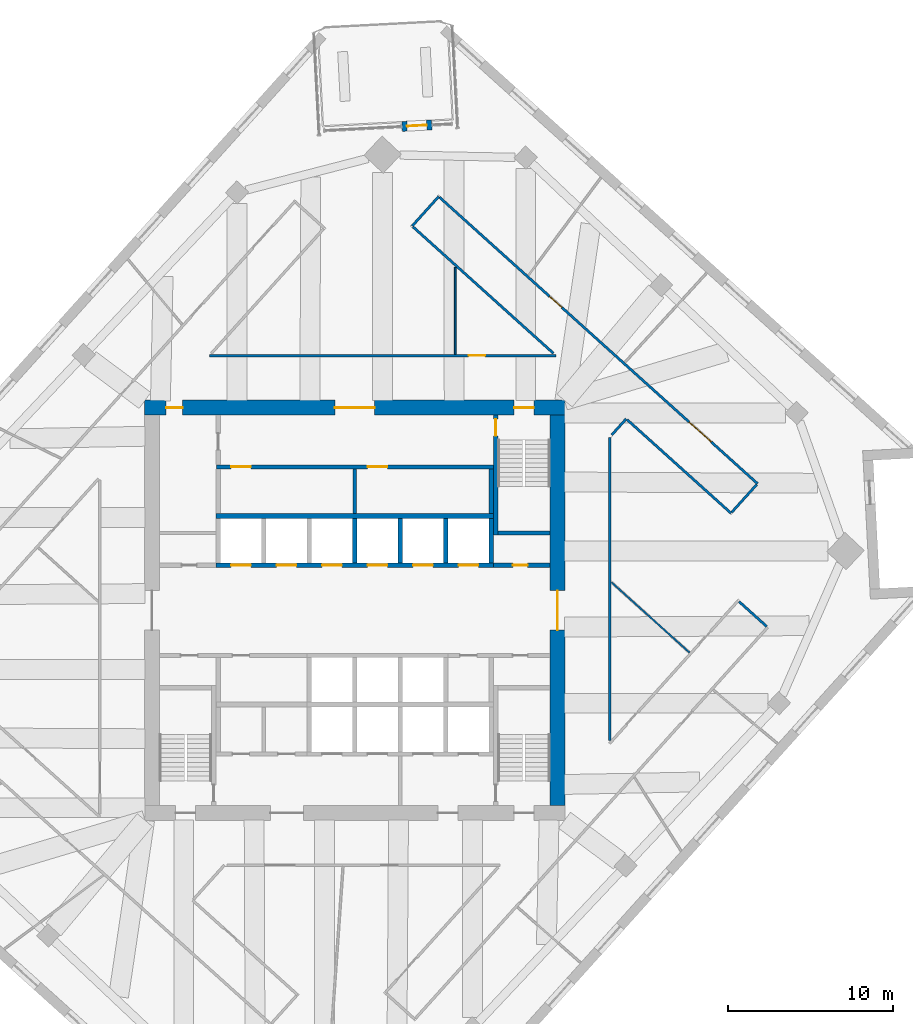
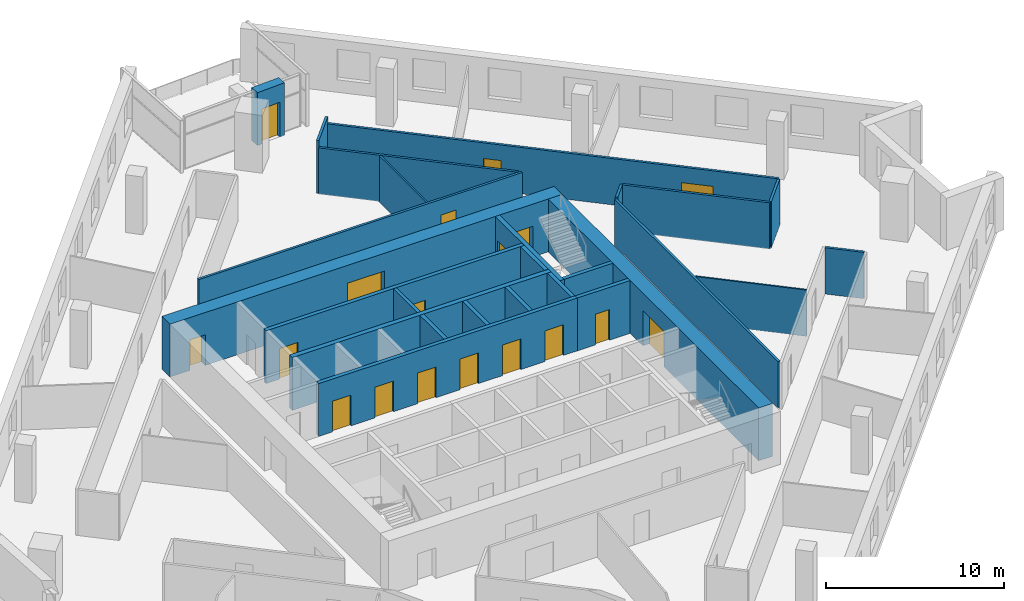
# One storey, part 9 of 12: 26 walls, 18 doors, 18 openings.
"""IFC4 building model written with IfcOpenShell, lengths in metres."""

from ifc_helpers import new_model, si_unit, direction, frame, frame_2d, origin, place, context, subcontext, project, spatial, rectangle, extrude, material, layer, layer_set, type_object, element, fill, save


model = new_model("IFC4")

# Units and contexts
model_context = context("Model", 3, precision=1e-05, world=origin(), true_north=direction((0.0, 1.0)))
body_context = subcontext(model_context, "Body", "Model", "MODEL_VIEW")
ifc_project = project(units=[si_unit("LENGTHUNIT", "METRE"), si_unit("AREAUNIT", "SQUARE_METRE"), si_unit("VOLUMEUNIT", "CUBIC_METRE"), si_unit("PLANEANGLEUNIT", "RADIAN"), si_unit("MASSUNIT", "GRAM", prefix="KILO")], contexts=[model_context])

# Site, building, storey
site_placement = place(None, origin())
site = spatial("IfcSite", under=ifc_project, at=site_placement, CompositionType="ELEMENT")
building_placement = place(site_placement, origin())
building = spatial("IfcBuilding", under=site, at=building_placement, Name="Dilmun Exchange Tower", CompositionType="ELEMENT")
storey_placement = place(building_placement, frame((0.0, 0.0, 217.300048828125)))
storey = spatial("IfcBuildingStorey", under=building, at=storey_placement, Name="L51", CompositionType="ELEMENT", Elevation=217.300048828125)

# Wall
ifc_material_1 = material(Name="Concrete C40/50", Category="concrete")
ifc_layer_1 = layer(ifc_material_1, 0.199951171875)
ifc_layer_set_1 = layer_set([ifc_layer_1], Name="Concrete C40/50")
wall_type_1 = type_object("IfcWallType", Name="Core partition wall 200", PredefinedType="PARTITIONING", material=ifc_layer_set_1)
wall_1_placement = place(storey_placement, frame((0.0, 5.85498046875, 0.0), z_axis=(0.0, 0.0, 1.0), x_axis=(0.0, 1.0, 0.0)))
element("IfcWall", 1, at=wall_1_placement, inside=storey, type_object=wall_type_1, Name="L51 core partition wall 14", PredefinedType="PARTITIONING", context=body_context, shape_type="SweptSolid", body=[
    extrude(rectangle(XDim=2.68994140625, YDim=0.199951171875, at=frame_2d((1.344970703125, 0.0))), origin(), (0.0, 0.0, 1.0), 3.619873046875),
])

# Wall, opening, door
ifc_layer_2 = layer(ifc_material_1, 0.25)
ifc_layer_set_2 = layer_set([ifc_layer_2], Name="Concrete C40/50")
wall_type_2 = type_object("IfcWallType", Name="Core partition wall 250", PredefinedType="PARTITIONING", material=ifc_layer_set_2)
wall_2_placement = place(storey_placement, frame((8.3798828125, 2.72509765625, 0.0), z_axis=(0.0, 0.0, 1.0), x_axis=(1.0, 0.0, 0.0)))
wall_2 = element("IfcWall", 2, at=wall_2_placement, inside=storey, type_object=wall_type_2, Name="L51 core partition wall 11", PredefinedType="PARTITIONING", context=body_context, shape_type="SweptSolid", body=[
    extrude(rectangle(XDim=3.4150390625, YDim=0.25, at=frame_2d((1.70751953125, 0.0))), origin(), (0.0, 0.0, 1.0), 3.619873046875),
])
opening_1_placement = place(wall_2_placement, frame((1.169921875, 0.0, 0.0)))
opening_1 = element("IfcOpeningElement", 3, at=opening_1_placement, cuts=wall_2, Name="Opening CD6", PredefinedType="OPENING", context=body_context, shape_type="SweptSolid", body=[
    extrude(rectangle(XDim=0.89990234375, YDim=2.10009765625, at=frame_2d((0.449951171875, 1.050048828125))), frame((0.0, 0.135009765625, 0.0), z_axis=(0.0, -1.0, 0.0), x_axis=(1.0, 0.0, 0.0)), (0.0, 0.0, 1.0), 0.27001953125),
])
ifc_material_2 = material(Name="Fire-rated steel door set", Category="steel")
door_type_1 = type_object("IfcDoorType", Name="Core room door 900x2100", OperationType="SINGLE_SWING_LEFT", PredefinedType="DOOR", material=ifc_material_2)
door_1_placement = place(opening_1_placement, origin())
door_1 = element("IfcDoor", 4, at=door_1_placement, inside=storey, type_object=door_type_1, Name="L51 door Electrical riser", OperationType="SINGLE_SWING_RIGHT", OverallHeight=2.10009765625, OverallWidth=0.89990234375, PredefinedType="DOOR", context=body_context, shape_type="SweptSolid", body=[
    extrude(rectangle(XDim=0.89990234375, YDim=2.10009765625, at=frame_2d((0.449951171875, 1.050048828125))), frame((0.0, 0.02490234375, 0.0), z_axis=(0.0, -1.0, 0.0), x_axis=(1.0, 0.0, 0.0)), (0.0, 0.0, 1.0), 0.050048828125),
])
fill(opening_1, door_1)

# Wall
wall_3_placement = place(storey_placement, frame((8.25, 5.85498046875, 0.0), z_axis=(0.0, 0.0, 1.0), x_axis=(0.0, 1.0, 0.0)))
element("IfcWall", 5, at=wall_3_placement, inside=storey, type_object=wall_type_2, Name="L51 core partition wall 15", PredefinedType="PARTITIONING", context=body_context, shape_type="SweptSolid", body=[
    extrude(rectangle(XDim=2.68994140625, YDim=0.25, at=frame_2d((1.344970703125, 0.0))), origin(), (0.0, 0.0, 1.0), 3.619873046875),
])

# Wall, openings, doors
wall_4_placement = place(storey_placement, frame((-8.35009765625, 8.675048828125, 0.0), z_axis=(0.0, 0.0, 1.0), x_axis=(1.0, 0.0, 0.0)))
wall_4 = element("IfcWall", 6, at=wall_4_placement, inside=storey, type_object=wall_type_2, Name="L51 core partition wall 16", PredefinedType="PARTITIONING", context=body_context, shape_type="SweptSolid", body=[
    extrude(rectangle(XDim=16.72021484375, YDim=0.25, at=frame_2d((8.360107421875, 0.0))), origin(), (0.0, 0.0, 1.0), 3.619873046875),
])
opening_2_placement = place(wall_4_placement, frame((0.875, 0.0, 0.0)))
opening_2 = element("IfcOpeningElement", 7, at=opening_2_placement, cuts=wall_4, Name="Opening CD3", PredefinedType="OPENING", context=body_context, shape_type="SweptSolid", body=[
    extrude(rectangle(XDim=1.199951171875, YDim=2.10009765625, at=frame_2d((0.60009765625, 1.050048828125))), frame((0.0, 0.135009765625, 0.0), z_axis=(0.0, -1.0, 0.0), x_axis=(1.0, 0.0, 0.0)), (0.0, 0.0, 1.0), 0.27001953125),
])
opening_3_placement = place(wall_4_placement, frame((9.125, 0.0, 0.0)))
opening_3 = element("IfcOpeningElement", 8, at=opening_3_placement, cuts=wall_4, Name="Opening CD3", PredefinedType="OPENING", context=body_context, shape_type="SweptSolid", body=[
    extrude(rectangle(XDim=1.199951171875, YDim=2.10009765625, at=frame_2d((0.60009765625, 1.050048828125))), frame((0.0, 0.135009765625, 0.0), z_axis=(0.0, -1.0, 0.0), x_axis=(1.0, 0.0, 0.0)), (0.0, 0.0, 1.0), 0.27001953125),
])
door_type_2 = type_object("IfcDoorType", Name="Stair exit door 1200x2100", OperationType="SINGLE_SWING_LEFT", PredefinedType="DOOR", material=ifc_material_2)
door_2_placement = place(opening_2_placement, origin())
door_2 = element("IfcDoor", 9, at=door_2_placement, inside=storey, type_object=door_type_2, Name="L51 door Facilities workshop", OperationType="SINGLE_SWING_LEFT", OverallHeight=2.10009765625, OverallWidth=1.199951171875, PredefinedType="DOOR", context=body_context, shape_type="SweptSolid", body=[
    extrude(rectangle(XDim=1.199951171875, YDim=2.10009765625, at=frame_2d((0.60009765625, 1.050048828125))), frame((0.0, 0.02490234375, 0.0), z_axis=(0.0, -1.0, 0.0), x_axis=(1.0, 0.0, 0.0)), (0.0, 0.0, 1.0), 0.050048828125),
])
fill(opening_2, door_2)
door_3_placement = place(opening_3_placement, origin())
door_3 = element("IfcDoor", 10, at=door_3_placement, inside=storey, type_object=door_type_2, Name="L51 door Quiet working room", OperationType="SINGLE_SWING_LEFT", OverallHeight=2.10009765625, OverallWidth=1.199951171875, PredefinedType="DOOR", context=body_context, shape_type="SweptSolid", body=[
    extrude(rectangle(XDim=1.199951171875, YDim=2.10009765625, at=frame_2d((0.60009765625, 1.050048828125))), frame((0.0, 0.02490234375, 0.0), z_axis=(0.0, -1.0, 0.0), x_axis=(1.0, 0.0, 0.0)), (0.0, 0.0, 1.0), 0.050048828125),
])
fill(opening_3, door_3)

ifc_material_3 = material(Name="Concrete C60/75", Category="concrete")
ifc_layer_3 = layer(ifc_material_3, 0.89990234375)
ifc_layer_set_3 = layer_set([ifc_layer_3], Name="Concrete C60/75")
wall_type_3 = type_object("IfcWallType", Name="Core shear wall 900 Concrete C60/75", PredefinedType="SHEAR", material=ifc_layer_set_3)
wall_5_placement = place(storey_placement, frame((-12.699951171875, 12.25, 0.0), z_axis=(0.0, 0.0, 1.0), x_axis=(1.0, 0.0, 0.0)))
wall_5 = element("IfcWall", 11, at=wall_5_placement, inside=storey, type_object=wall_type_3, Name="L51 core shear wall N", PredefinedType="SHEAR", context=body_context, shape_type="SweptSolid", body=[
    extrude(rectangle(XDim=25.39990234375, YDim=0.89990234375, at=frame_2d((12.699951171875, 0.0))), origin(), (0.0, 0.0, 1.0), 3.619873046875),
])
opening_4_placement = place(wall_5_placement, frame((11.5, 0.0, 0.0)))
opening_4 = element("IfcOpeningElement", 12, at=opening_4_placement, cuts=wall_5, Name="Opening CD1", PredefinedType="OPENING", context=body_context, shape_type="SweptSolid", body=[
    extrude(rectangle(XDim=2.39990234375, YDim=2.39990234375, at=frame_2d((1.199951171875, 1.199951171875))), frame((0.0, 0.4599609375, 0.0), z_axis=(0.0, -1.0, 0.0), x_axis=(1.0, 0.0, 0.0)), (0.0, 0.0, 1.0), 0.919921875),
])
opening_5_placement = place(wall_5_placement, frame((22.324951171875, 0.0, 0.0)))
opening_5 = element("IfcOpeningElement", 13, at=opening_5_placement, cuts=wall_5, Name="Opening CD3", PredefinedType="OPENING", context=body_context, shape_type="SweptSolid", body=[
    extrude(rectangle(XDim=1.199951171875, YDim=2.10009765625, at=frame_2d((0.60009765625, 1.050048828125))), frame((0.0, 0.4599609375, 0.0), z_axis=(0.0, -1.0, 0.0), x_axis=(1.0, 0.0, 0.0)), (0.0, 0.0, 1.0), 0.919921875),
])
opening_6_placement = place(wall_5_placement, frame((1.300048828125, 0.0, 0.0)))
opening_6 = element("IfcOpeningElement", 14, at=opening_6_placement, cuts=wall_5, Name="Opening CD4", PredefinedType="OPENING", context=body_context, shape_type="SweptSolid", body=[
    extrude(rectangle(XDim=1.0, YDim=2.10009765625, at=frame_2d((0.5, 1.050048828125))), frame((0.0, 0.4599609375, 0.0), z_axis=(0.0, -1.0, 0.0), x_axis=(1.0, 0.0, 0.0)), (0.0, 0.0, 1.0), 0.919921875),
])
door_type_3 = type_object("IfcDoorType", Name="Core lobby door 2400x2400", OperationType="DOUBLE_DOOR_DOUBLE_SWING", PredefinedType="DOOR", material=ifc_material_2)
door_4_placement = place(opening_4_placement, origin())
door_4 = element("IfcDoor", 15, at=door_4_placement, inside=storey, type_object=door_type_3, Name="L51 door North lift lobby", OperationType="SINGLE_SWING_LEFT", OverallHeight=2.39990234375, OverallWidth=2.39990234375, PredefinedType="DOOR", context=body_context, shape_type="SweptSolid", body=[
    extrude(rectangle(XDim=2.39990234375, YDim=2.39990234375, at=frame_2d((1.199951171875, 1.199951171875))), frame((0.0, 0.02490234375, 0.0), z_axis=(0.0, -1.0, 0.0), x_axis=(1.0, 0.0, 0.0)), (0.0, 0.0, 1.0), 0.050048828125),
])
fill(opening_4, door_4)
door_type_4 = type_object("IfcDoorType", Name="Core room door 1000x2100", OperationType="SINGLE_SWING_LEFT", PredefinedType="DOOR", material=ifc_material_2)
door_5_placement = place(opening_6_placement, origin())
door_5 = element("IfcDoor", 16, at=door_5_placement, inside=storey, type_object=door_type_4, Name="L51 door North-west core rooms", OperationType="SINGLE_SWING_LEFT", OverallHeight=2.10009765625, OverallWidth=1.0, PredefinedType="DOOR", context=body_context, shape_type="SweptSolid", body=[
    extrude(rectangle(XDim=1.0, YDim=2.10009765625, at=frame_2d((0.5, 1.050048828125))), frame((0.0, 0.02490234375, 0.0), z_axis=(0.0, -1.0, 0.0), x_axis=(1.0, 0.0, 0.0)), (0.0, 0.0, 1.0), 0.050048828125),
])
fill(opening_6, door_5)
door_6_placement = place(opening_5_placement, origin())
door_6 = element("IfcDoor", 17, at=door_6_placement, inside=storey, type_object=door_type_2, Name="L51 door Stair ST1", OperationType="SINGLE_SWING_LEFT", OverallHeight=2.10009765625, OverallWidth=1.199951171875, PredefinedType="DOOR", context=body_context, shape_type="SweptSolid", body=[
    extrude(rectangle(XDim=1.199951171875, YDim=2.10009765625, at=frame_2d((0.60009765625, 1.050048828125))), frame((0.0, 0.02490234375, 0.0), z_axis=(0.0, -1.0, 0.0), x_axis=(1.0, 0.0, 0.0)), (0.0, 0.0, 1.0), 0.050048828125),
])
fill(opening_5, door_6)

# Wall, opening, door
wall_6_placement = place(storey_placement, frame((12.25, -11.800048828125, 0.0), z_axis=(0.0, 0.0, 1.0), x_axis=(0.0, 1.0, 0.0)))
wall_6 = element("IfcWall", 18, at=wall_6_placement, inside=storey, type_object=wall_type_3, Name="L51 core shear wall E", PredefinedType="SHEAR", context=body_context, shape_type="SweptSolid", body=[
    extrude(rectangle(XDim=23.60009765625, YDim=0.89990234375, at=frame_2d((11.800048828125, 0.0))), origin(), (0.0, 0.0, 1.0), 3.619873046875),
])
opening_7_placement = place(wall_6_placement, frame((10.60009765625, 0.0, 0.0)))
opening_7 = element("IfcOpeningElement", 19, at=opening_7_placement, cuts=wall_6, Name="Opening CD1", PredefinedType="OPENING", context=body_context, shape_type="SweptSolid", body=[
    extrude(rectangle(XDim=2.39990234375, YDim=2.39990234375, at=frame_2d((1.199951171875, 1.199951171875))), frame((0.0, 0.4599609375, 0.0), z_axis=(0.0, -1.0, 0.0), x_axis=(1.0, 0.0, 0.0)), (0.0, 0.0, 1.0), 0.919921875),
])
door_7_placement = place(opening_7_placement, origin())
door_7 = element("IfcDoor", 20, at=door_7_placement, inside=storey, type_object=door_type_3, Name="L51 door Central lift lobby", OperationType="SINGLE_SWING_LEFT", OverallHeight=2.39990234375, OverallWidth=2.39990234375, PredefinedType="DOOR", context=body_context, shape_type="SweptSolid", body=[
    extrude(rectangle(XDim=2.39990234375, YDim=2.39990234375, at=frame_2d((1.199951171875, 1.199951171875))), frame((0.0, 0.02490234375, 0.0), z_axis=(0.0, -1.0, 0.0), x_axis=(1.0, 0.0, 0.0)), (0.0, 0.0, 1.0), 0.050048828125),
])
fill(opening_7, door_7)

ifc_material_4 = material(Name="Corridor wall 150")
ifc_layer_4 = layer(ifc_material_4, 0.14990234375)
ifc_layer_set_4 = layer_set([ifc_layer_4], Name="Corridor wall 150")
wall_type_4 = type_object("IfcWallType", Name="Corridor wall 150", PredefinedType="PARTITIONING", material=ifc_layer_set_4)
wall_7_placement = place(storey_placement, frame((-8.778076171875, 15.39990234375, 0.0), z_axis=(0.0, 0.0, 1.0), x_axis=(1.0, 0.0, 0.0)))
wall_7 = element("IfcWall", 21, at=wall_7_placement, inside=storey, type_object=wall_type_4, Name="Corridor wall", PredefinedType="PARTITIONING", context=body_context, shape_type="SweptSolid", body=[
    extrude(rectangle(XDim=20.93408203125, YDim=0.14990234375, at=frame_2d((10.467041015625, 0.0))), origin(), (0.0, 0.0, 1.0), 3.169921875),
])
opening_8_placement = place(wall_7_placement, frame((15.65380859375, 0.0, 0.0)))
opening_8 = element("IfcOpeningElement", 22, at=opening_8_placement, cuts=wall_7, Name="Opening TF51-D12", PredefinedType="OPENING", context=body_context, shape_type="SweptSolid", body=[
    extrude(rectangle(XDim=1.0, YDim=2.10009765625, at=frame_2d((0.5, 1.050048828125))), frame((0.0, 0.0849609375, 0.0), z_axis=(0.0, -1.0, 0.0), x_axis=(1.0, 0.0, 0.0)), (0.0, 0.0, 1.0), 0.169921875),
])
ifc_material_5 = material(Name="Fire door 1000 x 2100")
door_type_5 = type_object("IfcDoorType", Name="Fire door 1000 x 2100", OperationType="NOTDEFINED", PredefinedType="DOOR", material=ifc_material_5)
door_8_placement = place(opening_8_placement, origin())
door_8 = element("IfcDoor", 23, at=door_8_placement, inside=storey, type_object=door_type_5, Name="Door TF51-D12", OperationType="SINGLE_SWING_LEFT", OverallHeight=2.10009765625, OverallWidth=1.0, PredefinedType="DOOR", context=body_context, shape_type="SweptSolid", body=[
    extrude(rectangle(XDim=1.0, YDim=2.10009765625, at=frame_2d((0.5, 1.050048828125))), frame((0.0, 0.02490234375, 0.0), z_axis=(0.0, -1.0, 0.0), x_axis=(1.0, 0.0, 0.0)), (0.0, 0.0, 1.0), 0.050048828125),
])
fill(opening_8, door_8)

# Walls
wall_8_placement = place(storey_placement, frame((3.466064453125, 23.22412109375, 0.0), z_axis=(0.0, 0.0, 1.0), x_axis=(0.669060256522, 0.743208162726, 0.0)))
element("IfcWall", 24, at=wall_8_placement, inside=storey, type_object=wall_type_4, Name="Corridor wall", PredefinedType="PARTITIONING", context=body_context, shape_type="SweptSolid", body=[
    extrude(rectangle(XDim=2.400390625, YDim=0.14990234375, at=frame_2d((1.2001953125, 0.0))), origin(), (0.0, 0.0, 1.0), 3.619873046875),
])
wall_9_placement = place(storey_placement, frame((3.521728515625, 23.173828125, 0.0), z_axis=(0.0, 0.0, 1.0), x_axis=(0.743165539408, -0.669107600492, 0.0)))
element("IfcWall", 25, at=wall_9_placement, inside=storey, type_object=wall_type_4, Name="Corridor wall", PredefinedType="PARTITIONING", context=body_context, shape_type="SweptSolid", body=[
    extrude(rectangle(XDim=11.4228515625, YDim=0.14990234375, at=frame_2d((5.71142578125, 0.0))), origin(), (0.0, 0.0, 1.0), 3.169921875),
])

# Wall, openings, doors
wall_10_placement = place(storey_placement, frame((5.127685546875, 24.957763671875, 0.0), z_axis=(0.0, 0.0, 1.0), x_axis=(0.743144813636, -0.66913061951, 0.0)))
wall_10 = element("IfcWall", 26, at=wall_10_placement, inside=storey, type_object=wall_type_4, Name="Corridor wall", PredefinedType="PARTITIONING", context=body_context, shape_type="SweptSolid", body=[
    extrude(rectangle(XDim=25.854248046875, YDim=0.14990234375, at=frame_2d((12.92724609375, 0.0))), origin(), (0.0, 0.0, 1.0), 3.169921875),
])
opening_9_placement = place(wall_10_placement, frame((8.94580078125, 0.0, 0.0)))
opening_9 = element("IfcOpeningElement", 27, at=opening_9_placement, cuts=wall_10, Name="Opening TF51-D14", PredefinedType="OPENING", context=body_context, shape_type="SweptSolid", body=[
    extrude(rectangle(XDim=1.0, YDim=2.10009765625, at=frame_2d((0.5, 1.050048828125))), frame((0.0, 0.0849609375, 0.0), z_axis=(0.0, -1.0, 0.0), x_axis=(1.0, 0.0, 0.0)), (0.0, 0.0, 1.0), 0.169921875),
])
opening_10_placement = place(wall_10_placement, frame((20.290283203125, 0.0, 0.0)))
opening_10 = element("IfcOpeningElement", 28, at=opening_10_placement, cuts=wall_10, Name="Opening TF51-D17", PredefinedType="OPENING", context=body_context, shape_type="SweptSolid", body=[
    extrude(rectangle(XDim=1.800048828125, YDim=2.10009765625, at=frame_2d((0.89990234375, 1.050048828125))), frame((0.0, 0.0849609375, 0.0), z_axis=(0.0, -1.0, 0.0), x_axis=(1.0, 0.0, 0.0)), (0.0, 0.0, 1.0), 0.169921875),
])
door_9_placement = place(opening_9_placement, origin())
door_9 = element("IfcDoor", 29, at=door_9_placement, inside=storey, type_object=door_type_5, Name="Door TF51-D14", OperationType="SINGLE_SWING_RIGHT", OverallHeight=2.10009765625, OverallWidth=1.0, PredefinedType="DOOR", context=body_context, shape_type="SweptSolid", body=[
    extrude(rectangle(XDim=1.0, YDim=2.10009765625, at=frame_2d((0.5, 1.050048828125))), frame((0.0, 0.02490234375, 0.0), z_axis=(0.0, -1.0, 0.0), x_axis=(1.0, 0.0, 0.0)), (0.0, 0.0, 1.0), 0.050048828125),
])
fill(opening_9, door_9)
ifc_material_6 = material(Name="Fire door pair 1800 x 2100")
door_type_6 = type_object("IfcDoorType", Name="Fire door pair 1800 x 2100", OperationType="NOTDEFINED", PredefinedType="DOOR", material=ifc_material_6)
door_10_placement = place(opening_10_placement, origin())
door_10 = element("IfcDoor", 30, at=door_10_placement, inside=storey, type_object=door_type_6, Name="Door TF51-D17", OperationType="DOUBLE_DOOR_SINGLE_SWING", OverallHeight=2.10009765625, OverallWidth=1.800048828125, PredefinedType="DOOR", context=body_context, shape_type="SweptSolid", body=[
    extrude(rectangle(XDim=1.800048828125, YDim=2.10009765625, at=frame_2d((0.89990234375, 1.050048828125))), frame((0.0, 0.02490234375, 0.0), z_axis=(0.0, -1.0, 0.0), x_axis=(1.0, 0.0, 0.0)), (0.0, 0.0, 1.0), 0.050048828125),
])
fill(opening_10, door_10)

# Walls
wall_11_placement = place(storey_placement, frame((15.39990234375, -7.8505859375, 0.0), z_axis=(0.0, 0.0, 1.0), x_axis=(0.0, 1.0, 0.0)))
element("IfcWall", 31, at=wall_11_placement, inside=storey, type_object=wall_type_4, Name="Corridor wall", PredefinedType="PARTITIONING", context=body_context, shape_type="SweptSolid", body=[
    extrude(rectangle(XDim=18.30859375, YDim=0.14990234375, at=frame_2d((9.154296875, 0.0))), origin(), (0.0, 0.0, 1.0), 3.169921875),
])
wall_12_placement = place(storey_placement, frame((15.53076171875, 10.603271484375, 0.0), z_axis=(0.0, 0.0, 1.0), x_axis=(0.669233140763, 0.743052490275, 0.0)))
element("IfcWall", 32, at=wall_12_placement, inside=storey, type_object=wall_type_4, Name="Corridor wall", PredefinedType="PARTITIONING", context=body_context, shape_type="SweptSolid", body=[
    extrude(rectangle(XDim=1.306396484375, YDim=0.14990234375, at=frame_2d((0.6533203125, 0.0))), origin(), (0.0, 0.0, 1.0), 3.169921875),
])
wall_13_placement = place(storey_placement, frame((16.460693359375, 11.523681640625, 0.0), z_axis=(0.0, 0.0, 1.0), x_axis=(0.743193483902, -0.669076561752, 0.0)))
element("IfcWall", 33, at=wall_13_placement, inside=storey, type_object=wall_type_4, Name="Corridor wall", PredefinedType="PARTITIONING", context=body_context, shape_type="SweptSolid", body=[
    extrude(rectangle(XDim=8.4423828125, YDim=0.14990234375, at=frame_2d((4.22119140625, 0.0))), origin(), (0.0, 0.0, 1.0), 3.169921875),
])
for number, where, z_axis, x_axis, name in (
    (34, (22.78515625, 5.9306640625, 0.0), (0.0, 0.0, 1.0), (0.669246477345, 0.743040478414, 0.0), "Corridor wall"),
    (35, (23.224609375, 0.53173828125, 0.0), (0.0, 0.0, 1.0), (0.743040478414, -0.669246477345, 0.0), "Corridor wall"),
):
    element("IfcWall", number, at=place(storey_placement, frame(where, z_axis=z_axis, x_axis=x_axis)), inside=storey, type_object=wall_type_4, Name=name, PredefinedType="PARTITIONING", context=body_context, shape_type="SweptSolid", body=[
        extrude(rectangle(XDim=2.249755859375, YDim=0.14990234375, at=frame_2d((1.125, 0.0))), origin(), (0.0, 0.0, 1.0), 3.169921875),
    ])
ifc_layer_5 = layer(ifc_material_1, 0.300048828125)
ifc_layer_set_5 = layer_set([ifc_layer_5], Name="Concrete C40/50")
wall_type_5 = type_object("IfcWallType", Name="Lift shaft shared wall 300", PredefinedType="SOLIDWALL", material=ifc_layer_set_5)
wall_14_placement = place(storey_placement, frame((-8.375, 5.699951171875, 0.0), z_axis=(0.0, 0.0, 1.0), x_axis=(1.0, 0.0, 0.0)))
element("IfcWall", 36, at=wall_14_placement, inside=storey, type_object=wall_type_5, Name="L51 lift shaft rear wall N", PredefinedType="SOLIDWALL", context=body_context, shape_type="SweptSolid", body=[
    extrude(rectangle(XDim=16.75, YDim=0.300048828125, at=frame_2d((8.375, 0.0))), origin(), (0.0, 0.0, 1.0), 3.619873046875),
])

# Wall, openings, doors
ifc_layer_6 = layer(ifc_material_1, 0.25)
ifc_layer_set_6 = layer_set([ifc_layer_6], Name="Concrete C40/50")
wall_type_6 = type_object("IfcWallType", Name="Lift shaft wall 250", PredefinedType="SOLIDWALL", material=ifc_layer_set_6)
wall_15_placement = place(storey_placement, frame((-8.375, 2.72509765625, 0.0), z_axis=(0.0, 0.0, 1.0), x_axis=(1.0, 0.0, 0.0)))
wall_15 = element("IfcWall", 37, at=wall_15_placement, inside=storey, type_object=wall_type_6, Name="L51 lift shaft front wall N1", PredefinedType="SOLIDWALL", context=body_context, shape_type="SweptSolid", body=[
    extrude(rectangle(XDim=16.75, YDim=0.25, at=frame_2d((8.375, 0.0))), origin(), (0.0, 0.0, 1.0), 3.619873046875),
])
opening_11_placement = place(wall_15_placement, frame((0.89990234375, 0.0, 0.0)))
opening_11 = element("IfcOpeningElement", 38, at=opening_11_placement, cuts=wall_15, Name="Opening LD", PredefinedType="OPENING", context=body_context, shape_type="SweptSolid", body=[
    extrude(rectangle(XDim=1.199951171875, YDim=2.10009765625, at=frame_2d((0.60009765625, 1.050048828125))), frame((0.0, 0.135009765625, 0.0), z_axis=(0.0, -1.0, 0.0), x_axis=(1.0, 0.0, 0.0)), (0.0, 0.0, 1.0), 0.27001953125),
])
opening_12_placement = place(wall_15_placement, frame((3.64990234375, 0.0, 0.0)))
opening_12 = element("IfcOpeningElement", 39, at=opening_12_placement, cuts=wall_15, Name="Opening LD", PredefinedType="OPENING", context=body_context, shape_type="SweptSolid", body=[
    extrude(rectangle(XDim=1.199951171875, YDim=2.10009765625, at=frame_2d((0.60009765625, 1.050048828125))), frame((0.0, 0.135009765625, 0.0), z_axis=(0.0, -1.0, 0.0), x_axis=(1.0, 0.0, 0.0)), (0.0, 0.0, 1.0), 0.27001953125),
])
opening_13_placement = place(wall_15_placement, frame((6.39990234375, 0.0, 0.0)))
opening_13 = element("IfcOpeningElement", 40, at=opening_13_placement, cuts=wall_15, Name="Opening LD", PredefinedType="OPENING", context=body_context, shape_type="SweptSolid", body=[
    extrude(rectangle(XDim=1.199951171875, YDim=2.10009765625, at=frame_2d((0.60009765625, 1.050048828125))), frame((0.0, 0.135009765625, 0.0), z_axis=(0.0, -1.0, 0.0), x_axis=(1.0, 0.0, 0.0)), (0.0, 0.0, 1.0), 0.27001953125),
])
opening_14_placement = place(wall_15_placement, frame((9.14990234375, 0.0, 0.0)))
opening_14 = element("IfcOpeningElement", 41, at=opening_14_placement, cuts=wall_15, Name="Opening LD", PredefinedType="OPENING", context=body_context, shape_type="SweptSolid", body=[
    extrude(rectangle(XDim=1.199951171875, YDim=2.10009765625, at=frame_2d((0.60009765625, 1.050048828125))), frame((0.0, 0.135009765625, 0.0), z_axis=(0.0, -1.0, 0.0), x_axis=(1.0, 0.0, 0.0)), (0.0, 0.0, 1.0), 0.27001953125),
])
opening_15_placement = place(wall_15_placement, frame((11.89990234375, 0.0, 0.0)))
opening_15 = element("IfcOpeningElement", 42, at=opening_15_placement, cuts=wall_15, Name="Opening LD", PredefinedType="OPENING", context=body_context, shape_type="SweptSolid", body=[
    extrude(rectangle(XDim=1.199951171875, YDim=2.10009765625, at=frame_2d((0.60009765625, 1.050048828125))), frame((0.0, 0.135009765625, 0.0), z_axis=(0.0, -1.0, 0.0), x_axis=(1.0, 0.0, 0.0)), (0.0, 0.0, 1.0), 0.27001953125),
])
opening_16_placement = place(wall_15_placement, frame((14.64990234375, 0.0, 0.0)))
opening_16 = element("IfcOpeningElement", 43, at=opening_16_placement, cuts=wall_15, Name="Opening LD", PredefinedType="OPENING", context=body_context, shape_type="SweptSolid", body=[
    extrude(rectangle(XDim=1.199951171875, YDim=2.10009765625, at=frame_2d((0.60009765625, 1.050048828125))), frame((0.0, 0.135009765625, 0.0), z_axis=(0.0, -1.0, 0.0), x_axis=(1.0, 0.0, 0.0)), (0.0, 0.0, 1.0), 0.27001953125),
])
door_type_7 = type_object("IfcDoorType", Name="Lift landing door 1200x2100", OperationType="DOUBLE_DOOR_SLIDING", PredefinedType="DOOR", material=ifc_material_2)
door_11_placement = place(opening_11_placement, origin())
door_11 = element("IfcDoor", 44, at=door_11_placement, inside=storey, type_object=door_type_7, Name="L51 landing door MR1", OperationType="DOUBLE_DOOR_SLIDING", OverallHeight=2.10009765625, OverallWidth=1.199951171875, PredefinedType="DOOR", context=body_context, shape_type="SweptSolid", body=[
    extrude(rectangle(XDim=1.199951171875, YDim=2.10009765625, at=frame_2d((0.60009765625, 1.050048828125))), frame((0.0, 0.02490234375, 0.0), z_axis=(0.0, -1.0, 0.0), x_axis=(1.0, 0.0, 0.0)), (0.0, 0.0, 1.0), 0.050048828125),
])
fill(opening_11, door_11)
door_12_placement = place(opening_12_placement, origin())
door_12 = element("IfcDoor", 45, at=door_12_placement, inside=storey, type_object=door_type_7, Name="L51 landing door MR2", OperationType="DOUBLE_DOOR_SLIDING", OverallHeight=2.10009765625, OverallWidth=1.199951171875, PredefinedType="DOOR", context=body_context, shape_type="SweptSolid", body=[
    extrude(rectangle(XDim=1.199951171875, YDim=2.10009765625, at=frame_2d((0.60009765625, 1.050048828125))), frame((0.0, 0.02490234375, 0.0), z_axis=(0.0, -1.0, 0.0), x_axis=(1.0, 0.0, 0.0)), (0.0, 0.0, 1.0), 0.050048828125),
])
fill(opening_12, door_12)
door_13_placement = place(opening_13_placement, origin())
door_13 = element("IfcDoor", 46, at=door_13_placement, inside=storey, type_object=door_type_7, Name="L51 landing door MR3", OperationType="DOUBLE_DOOR_SLIDING", OverallHeight=2.10009765625, OverallWidth=1.199951171875, PredefinedType="DOOR", context=body_context, shape_type="SweptSolid", body=[
    extrude(rectangle(XDim=1.199951171875, YDim=2.10009765625, at=frame_2d((0.60009765625, 1.050048828125))), frame((0.0, 0.02490234375, 0.0), z_axis=(0.0, -1.0, 0.0), x_axis=(1.0, 0.0, 0.0)), (0.0, 0.0, 1.0), 0.050048828125),
])
fill(opening_13, door_13)
door_14_placement = place(opening_14_placement, origin())
door_14 = element("IfcDoor", 47, at=door_14_placement, inside=storey, type_object=door_type_7, Name="L51 landing door MR4", OperationType="DOUBLE_DOOR_SLIDING", OverallHeight=2.10009765625, OverallWidth=1.199951171875, PredefinedType="DOOR", context=body_context, shape_type="SweptSolid", body=[
    extrude(rectangle(XDim=1.199951171875, YDim=2.10009765625, at=frame_2d((0.60009765625, 1.050048828125))), frame((0.0, 0.02490234375, 0.0), z_axis=(0.0, -1.0, 0.0), x_axis=(1.0, 0.0, 0.0)), (0.0, 0.0, 1.0), 0.050048828125),
])
fill(opening_14, door_14)
door_15_placement = place(opening_15_placement, origin())
door_15 = element("IfcDoor", 48, at=door_15_placement, inside=storey, type_object=door_type_7, Name="L51 landing door MR5", OperationType="DOUBLE_DOOR_SLIDING", OverallHeight=2.10009765625, OverallWidth=1.199951171875, PredefinedType="DOOR", context=body_context, shape_type="SweptSolid", body=[
    extrude(rectangle(XDim=1.199951171875, YDim=2.10009765625, at=frame_2d((0.60009765625, 1.050048828125))), frame((0.0, 0.02490234375, 0.0), z_axis=(0.0, -1.0, 0.0), x_axis=(1.0, 0.0, 0.0)), (0.0, 0.0, 1.0), 0.050048828125),
])
fill(opening_15, door_15)
door_16_placement = place(opening_16_placement, origin())
door_16 = element("IfcDoor", 49, at=door_16_placement, inside=storey, type_object=door_type_7, Name="L51 landing door MR6", OperationType="DOUBLE_DOOR_SLIDING", OverallHeight=2.10009765625, OverallWidth=1.199951171875, PredefinedType="DOOR", context=body_context, shape_type="SweptSolid", body=[
    extrude(rectangle(XDim=1.199951171875, YDim=2.10009765625, at=frame_2d((0.60009765625, 1.050048828125))), frame((0.0, 0.02490234375, 0.0), z_axis=(0.0, -1.0, 0.0), x_axis=(1.0, 0.0, 0.0)), (0.0, 0.0, 1.0), 0.050048828125),
])
fill(opening_16, door_16)

# Walls
for number, where, z_axis, x_axis, name in (
    (50, (0.0, 2.85009765625, 0.0), (0.0, 0.0, 1.0), (0.0, 1.0, 0.0), "L51 lift shaft divider N13"),
    (51, (2.75, 2.85009765625, 0.0), (0.0, 0.0, 1.0), (0.0, 1.0, 0.0), "L51 lift shaft divider N14"),
    (52, (5.5, 2.85009765625, 0.0), (0.0, 0.0, 1.0), (0.0, 1.0, 0.0), "L51 lift shaft divider N15"),
    (53, (8.25, 2.85009765625, 0.0), (0.0, 0.0, 1.0), (0.0, 1.0, 0.0), "L51 lift shaft divider N16"),
):
    element("IfcWall", number, at=place(storey_placement, frame(where, z_axis=z_axis, x_axis=x_axis)), inside=storey, type_object=wall_type_6, Name=name, PredefinedType="SOLIDWALL", context=body_context, shape_type="SweptSolid", body=[
        extrude(rectangle(XDim=2.699951171875, YDim=0.25, at=frame_2d((1.35009765625, 0.0))), origin(), (0.0, 0.0, 1.0), 3.619873046875),
    ])
ifc_material_7 = material(Name="Partition 100")
ifc_layer_7 = layer(ifc_material_7, 0.10009765625)
ifc_layer_set_7 = layer_set([ifc_layer_7], Name="Partition 100")
wall_type_7 = type_object("IfcWallType", Name="Partition 100", PredefinedType="PARTITIONING", material=ifc_layer_set_7)
wall_16_placement = place(storey_placement, frame((6.075927734375, 15.47509765625, 0.0), z_axis=(0.0, 0.0, 1.0), x_axis=(0.0, 1.0, 0.0)))
element("IfcWall", 54, at=wall_16_placement, inside=storey, type_object=wall_type_7, Name="Partition", PredefinedType="PARTITIONING", context=body_context, shape_type="SweptSolid", body=[
    extrude(rectangle(XDim=5.2529296875, YDim=0.10009765625, at=frame_2d((2.62646484375, 0.0))), origin(), (0.0, 0.0, 1.0), 3.169921875),
])
wall_17_placement = place(storey_placement, frame((15.508544921875, 1.700439453125, 0.0), z_axis=(0.0, 0.0, 1.0), x_axis=(0.743166359939, -0.669106689142, 0.0)))
element("IfcWall", 55, at=wall_17_placement, inside=storey, type_object=wall_type_7, Name="Partition", PredefinedType="PARTITIONING", context=body_context, shape_type="SweptSolid", body=[
    extrude(rectangle(XDim=6.36572265625, YDim=0.10009765625, at=frame_2d((3.182861328125, 0.0))), origin(), (0.0, 0.0, 1.0), 3.169921875),
])

# Wall, opening, door
ifc_material_8 = material(Name="Precast concrete C50/60", Category="concrete")
ifc_layer_8 = layer(ifc_material_8, 0.60009765625)
ifc_layer_set_8 = layer_set([ifc_layer_8], Name="Precast concrete C50/60")
wall_type_8 = type_object("IfcWallType", Name="Precast stone-clad wall 600", PredefinedType="STANDARD", material=ifc_layer_set_8)
wall_18_placement = place(storey_placement, frame((4.656494140625, 29.339111328125, 0.0), z_axis=(0.0, 0.0, 1.0), x_axis=(-0.998635754819, -0.052217135082, 0.0)))
wall_18 = element("IfcWall", 56, at=wall_18_placement, inside=storey, type_object=wall_type_8, Name="Facade wall L51-01-D", PredefinedType="STANDARD", context=body_context, shape_type="SweptSolid", body=[
    extrude(rectangle(XDim=1.800048828125, YDim=0.60009765625, at=frame_2d((0.89990234375, 0.0))), origin(), (0.0, 0.0, 1.0), 3.619873046875),
])
opening_17_placement = place(wall_18_placement, frame((0.300048828125, 0.0, 0.0)))
opening_17 = element("IfcOpeningElement", 57, at=opening_17_placement, cuts=wall_18, Name="Opening GD-1", PredefinedType="OPENING", context=body_context, shape_type="SweptSolid", body=[
    extrude(rectangle(XDim=1.199951171875, YDim=2.39990234375, at=frame_2d((0.60009765625, 1.199951171875))), frame((0.0, 0.31005859375, 0.0), z_axis=(0.0, -1.0, 0.0), x_axis=(1.0, 0.0, 0.0)), (0.0, 0.0, 1.0), 0.6201171875),
])
ifc_material_9 = material(Name="Clear low-emissivity glass in aluminium frame", Category="aluminium")
door_type_8 = type_object("IfcDoorType", Name="Glazed garden door 1200 x 2400", OperationType="SINGLE_SWING_LEFT", PredefinedType="DOOR", material=ifc_material_9)
door_17_placement = place(opening_17_placement, origin())
door_17 = element("IfcDoor", 58, at=door_17_placement, inside=storey, type_object=door_type_8, Name="Garden terrace door", OperationType="SINGLE_SWING_LEFT", OverallHeight=2.39990234375, OverallWidth=1.199951171875, PredefinedType="DOOR", context=body_context, shape_type="SweptSolid", body=[
    extrude(rectangle(XDim=1.199951171875, YDim=2.39990234375, at=frame_2d((0.60009765625, 1.199951171875))), frame((0.0, 0.02490234375, 0.0), z_axis=(0.0, -1.0, 0.0), x_axis=(1.0, 0.0, 0.0)), (0.0, 0.0, 1.0), 0.050048828125),
])
fill(opening_17, door_17)

# Wall
ifc_layer_9 = layer(ifc_material_1, 0.25)
ifc_layer_set_9 = layer_set([ifc_layer_9], Name="Concrete C40/50")
wall_type_9 = type_object("IfcWallType", Name="Stair end wall 250", PredefinedType="SOLIDWALL", material=ifc_layer_set_9)
wall_19_placement = place(storey_placement, frame((8.64990234375, 4.675048828125, 0.0), z_axis=(0.0, 0.0, 1.0), x_axis=(1.0, 0.0, 0.0)))
element("IfcWall", 59, at=wall_19_placement, inside=storey, type_object=wall_type_9, Name="L51 ST1 far wall", PredefinedType="SOLIDWALL", context=body_context, shape_type="SweptSolid", body=[
    extrude(rectangle(XDim=3.150146484375, YDim=0.25, at=frame_2d((1.5751953125, 0.0))), origin(), (0.0, 0.0, 1.0), 3.619873046875),
])

# Wall, opening, door
ifc_layer_10 = layer(ifc_material_1, 0.27490234375)
ifc_layer_set_10 = layer_set([ifc_layer_10], Name="Concrete C40/50")
wall_type_10 = type_object("IfcWallType", Name="Stair wall 275", PredefinedType="SOLIDWALL", material=ifc_layer_set_10)
wall_20_placement = place(storey_placement, frame((8.512451171875, 4.550048828125, 0.0), z_axis=(0.0, 0.0, 1.0), x_axis=(0.0, 1.0, 0.0)))
wall_20 = element("IfcWall", 60, at=wall_20_placement, inside=storey, type_object=wall_type_10, Name="L51 ST1 wall to lift block", PredefinedType="SOLIDWALL", context=body_context, shape_type="SweptSolid", body=[
    extrude(rectangle(XDim=7.25, YDim=0.27490234375, at=frame_2d((3.625, 0.0))), origin(), (0.0, 0.0, 1.0), 3.619873046875),
])
opening_18_placement = place(wall_20_placement, frame((6.0, 0.0, 0.0)))
opening_18 = element("IfcOpeningElement", 61, at=opening_18_placement, cuts=wall_20, Name="Opening CD4", PredefinedType="OPENING", context=body_context, shape_type="SweptSolid", body=[
    extrude(rectangle(XDim=1.0, YDim=2.10009765625, at=frame_2d((0.5, 1.050048828125))), frame((0.0, 0.1474609375, 0.0), z_axis=(0.0, -1.0, 0.0), x_axis=(1.0, 0.0, 0.0)), (0.0, 0.0, 1.0), 0.294921875),
])
door_18_placement = place(opening_18_placement, origin())
door_18 = element("IfcDoor", 62, at=door_18_placement, inside=storey, type_object=door_type_4, Name="L51 door ST1 from lobby", OperationType="SINGLE_SWING_LEFT", OverallHeight=2.10009765625, OverallWidth=1.0, PredefinedType="DOOR", context=body_context, shape_type="SweptSolid", body=[
    extrude(rectangle(XDim=1.0, YDim=2.10009765625, at=frame_2d((0.5, 1.050048828125))), frame((0.0, 0.02490234375, 0.0), z_axis=(0.0, -1.0, 0.0), x_axis=(1.0, 0.0, 0.0)), (0.0, 0.0, 1.0), 0.050048828125),
])
fill(opening_18, door_18)

save(model, "model.ifc")
